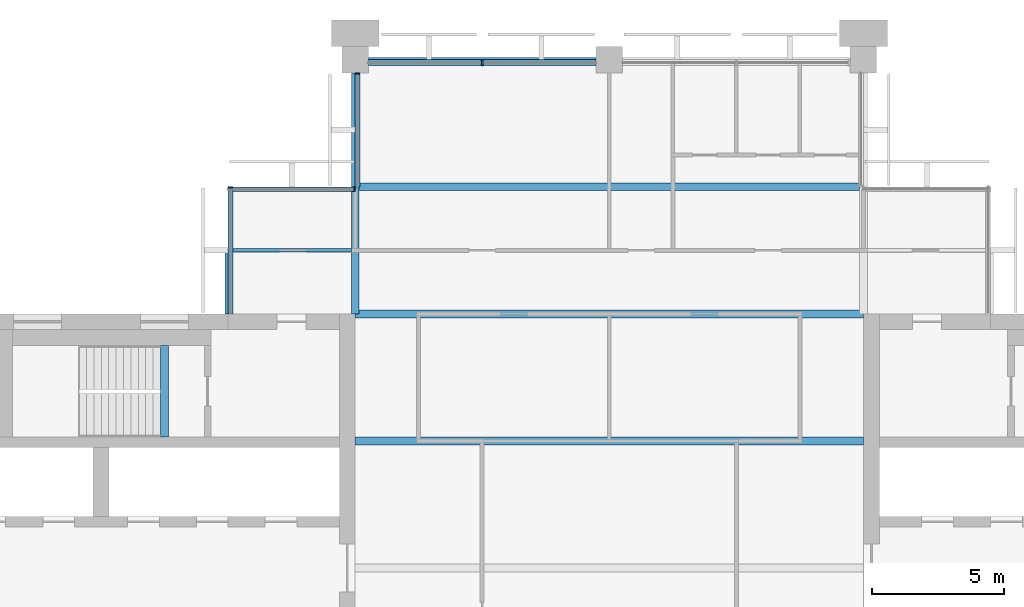
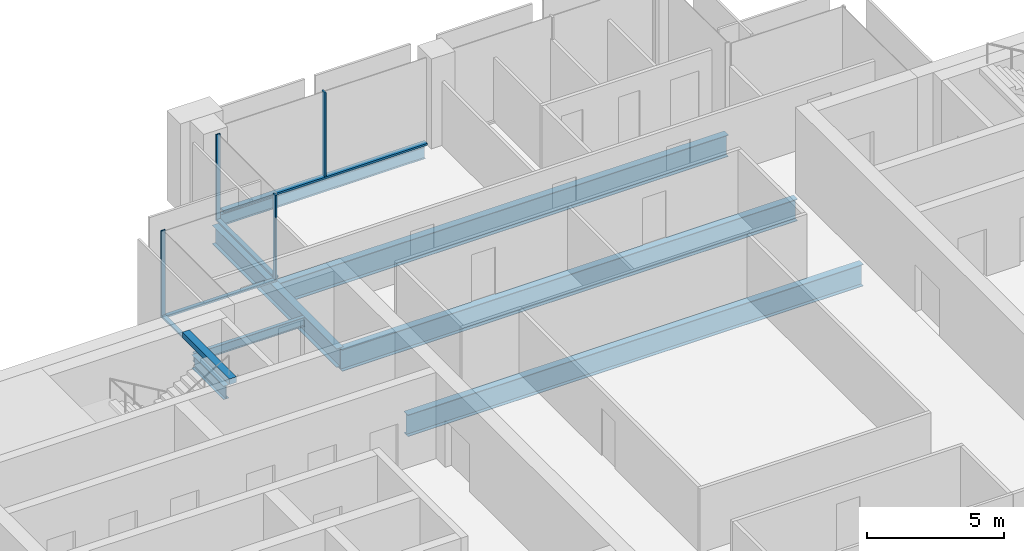
# One storey, part 5 of 13: 8 beams, 8 members, 4 elements without a shape of their own.
"""IFC4 building model written with IfcOpenShell, lengths in metres."""

from ifc_helpers import new_model, si_unit, direction, frame, origin, origin_2d, place, context, subcontext, project, spatial, rectangle, i_section, extrude, material, material_profile, profile_set, type_object, element, aggregate, save


model = new_model("IFC4")

# Units and contexts
model_context = context("Model", 3, precision=1e-05, world=origin(), true_north=direction((0.0, 1.0)))
body_context = subcontext(model_context, "Body", "Model", "MODEL_VIEW")
ifc_project = project(units=[si_unit("LENGTHUNIT", "METRE"), si_unit("AREAUNIT", "SQUARE_METRE"), si_unit("VOLUMEUNIT", "CUBIC_METRE"), si_unit("PLANEANGLEUNIT", "RADIAN"), si_unit("MASSUNIT", "GRAM", prefix="KILO")], contexts=[model_context])

# Site, building, storey
site_placement = place(None, origin())
site = spatial("IfcSite", under=ifc_project, at=site_placement, CompositionType="ELEMENT")
building_placement = place(site_placement, origin())
building = spatial("IfcBuilding", under=site, at=building_placement, Name="Baori Bourse Tower", CompositionType="ELEMENT")
storey_placement = place(building_placement, frame((0.0, 0.0, 334.300048828125)))
storey = spatial("IfcBuildingStorey", under=building, at=storey_placement, Name="L74", CompositionType="ELEMENT", Elevation=334.300048828125)

# Curtain wall, member
ifc_material_1 = material(Name="Pale anodised aluminium", Category="aluminium")
curtain_wall_type_1 = type_object("IfcCurtainWallType", Name="CW2 Curtain wall", PredefinedType="NOTDEFINED", material=ifc_material_1)
curtain_wall_1_placement = place(storey_placement, origin())
curtain_wall_1 = element("IfcCurtainWall", 1, at=curtain_wall_1_placement, inside=storey, type_object=curtain_wall_type_1, Name="Curtain wall CW2 L74 5", PredefinedType="NOTDEFINED")
ifc_material_2 = material(Name="Pale anodised aluminium", Category="aluminium")
ifc_material_profile_1 = material_profile(ifc_material_2, rectangle(XDim=0.179931640625, YDim=0.054931640625, at=origin_2d()), Name="Mullion 55x180")
ifc_profile_set_1 = profile_set([ifc_material_profile_1], Name="Pale anodised aluminium")
member_type_1 = type_object("IfcMemberType", Name="CW2 Curtain wall mullion", PredefinedType="MULLION", material=ifc_profile_set_1)
member_1_placement = place(storey_placement, frame((19.2900390625, 47.472412109375, 0.070068359375), z_axis=(0.0, 0.0, 1.0), x_axis=(1.0, 0.0, 0.0)))
member_1 = element("IfcMember", 2, at=member_1_placement, type_object=member_type_1, Name="Curtain wall CW2 mullion", PredefinedType="MULLION", context=body_context, shape_type="SweptSolid", body=[
    extrude(rectangle(XDim=0.179931640625, YDim=0.054931640625, at=origin_2d()), origin(), (0.0, 0.0, 1.0), 3.769775390625),
])

curtain_wall_2_placement = place(storey_placement, origin())
curtain_wall_2 = element("IfcCurtainWall", 3, at=curtain_wall_2_placement, inside=storey, type_object=curtain_wall_type_1, Name="Curtain wall CW2 L74 6", PredefinedType="NOTDEFINED")
member_2_placement = place(storey_placement, frame((19.172607421875, 43.110107421875, 0.070068359375), z_axis=(0.0, 0.0, 1.0), x_axis=(0.0, -1.0, 0.0)))
member_2 = element("IfcMember", 4, at=member_2_placement, type_object=member_type_1, Name="Curtain wall CW2 mullion", PredefinedType="MULLION", context=body_context, shape_type="SweptSolid", body=[
    extrude(rectangle(XDim=0.179931640625, YDim=0.054931640625, at=origin_2d()), origin(), (0.0, 0.0, 1.0), 3.769775390625),
])

curtain_wall_3_placement = place(storey_placement, origin())
curtain_wall_3 = element("IfcCurtainWall", 5, at=curtain_wall_3_placement, inside=storey, type_object=curtain_wall_type_1, Name="Curtain wall CW2 L74 7", PredefinedType="NOTDEFINED")
member_3_placement = place(storey_placement, frame((14.489990234375, 43.172607421875, 0.070068359375), z_axis=(0.0, 0.0, 1.0), x_axis=(1.0, 0.0, 0.0)))
member_3 = element("IfcMember", 6, at=member_3_placement, type_object=member_type_1, Name="Curtain wall CW2 mullion", PredefinedType="MULLION", context=body_context, shape_type="SweptSolid", body=[
    extrude(rectangle(XDim=0.179931640625, YDim=0.054931640625, at=origin_2d()), origin(), (0.0, 0.0, 1.0), 3.769775390625),
])

# Member
ifc_material_3 = material(Name="Pale anodised aluminium", Category="aluminium")
ifc_material_profile_2 = material_profile(ifc_material_3, rectangle(XDim=0.179931640625, YDim=0.070068359375, at=origin_2d()), Name="Transom 70x180")
ifc_profile_set_2 = profile_set([ifc_material_profile_2], Name="Pale anodised aluminium")
member_type_2 = type_object("IfcMemberType", Name="CW2 Curtain wall transom", PredefinedType="USERDEFINED", material=ifc_profile_set_2)
member_4_placement = place(storey_placement, frame((19.2900390625, 47.5, 0.034912109375), z_axis=(0.0, -1.0, 0.0), x_axis=(1.0, 0.0, 0.0)))
member_4 = element("IfcMember", 7, at=member_4_placement, type_object=member_type_2, Name="Curtain wall CW2 sill rail", ObjectType="TRANSOM", PredefinedType="USERDEFINED", context=body_context, shape_type="SweptSolid", body=[
    extrude(rectangle(XDim=0.179931640625, YDim=0.070068359375, at=origin_2d()), origin(), (0.0, 0.0, 1.0), 4.300048828125),
])

aggregate(curtain_wall_1, [member_4, member_1])

member_5_placement = place(storey_placement, frame((19.199951171875, 43.110107421875, 0.034912109375), z_axis=(-1.0, 0.0, 0.0), x_axis=(0.0, -1.0, 0.0)))
member_5 = element("IfcMember", 8, at=member_5_placement, type_object=member_type_2, Name="Curtain wall CW2 sill rail", ObjectType="TRANSOM", PredefinedType="USERDEFINED", context=body_context, shape_type="SweptSolid", body=[
    extrude(rectangle(XDim=0.179931640625, YDim=0.070068359375, at=origin_2d()), origin(), (0.0, 0.0, 1.0), 4.800048828125),
])

aggregate(curtain_wall_2, [member_5, member_2])

member_6_placement = place(storey_placement, frame((14.489990234375, 43.199951171875, 0.034912109375), z_axis=(0.0, -1.0, 0.0), x_axis=(1.0, 0.0, 0.0)))
member_6 = element("IfcMember", 9, at=member_6_placement, type_object=member_type_2, Name="Curtain wall CW2 sill rail", ObjectType="TRANSOM", PredefinedType="USERDEFINED", context=body_context, shape_type="SweptSolid", body=[
    extrude(rectangle(XDim=0.179931640625, YDim=0.070068359375, at=origin_2d()), origin(), (0.0, 0.0, 1.0), 4.800048828125),
])

aggregate(curtain_wall_3, [member_6, member_3])

# Curtain wall, members
ifc_material_4 = material(Name="Pale anodised aluminium", Category="aluminium")
curtain_wall_type_2 = type_object("IfcCurtainWallType", Name="CW5 Curtain wall", PredefinedType="NOTDEFINED", material=ifc_material_4)
curtain_wall_4_placement = place(storey_placement, origin())
curtain_wall_4 = element("IfcCurtainWall", 10, at=curtain_wall_4_placement, inside=storey, type_object=curtain_wall_type_2, Name="Curtain wall CW5 L74 4", PredefinedType="NOTDEFINED")
ifc_material_5 = material(Name="Pale anodised aluminium", Category="aluminium")
ifc_material_profile_3 = material_profile(ifc_material_5, rectangle(XDim=0.219970703125, YDim=0.06494140625, at=origin_2d()), Name="Mullion 65x220")
ifc_profile_set_3 = profile_set([ifc_material_profile_3], Name="Pale anodised aluminium")
member_type_3 = type_object("IfcMemberType", Name="CW5 Curtain wall mullion", PredefinedType="MULLION", material=ifc_profile_set_3)
member_7_placement = place(storey_placement, frame((24.0, 47.889892578125, 0.0849609375), z_axis=(0.0, 0.0, 1.0), x_axis=(0.0, -1.0, 0.0)))
member_7 = element("IfcMember", 11, at=member_7_placement, type_object=member_type_3, Name="Curtain wall CW5 mullion", PredefinedType="MULLION", context=body_context, shape_type="SweptSolid", body=[
    extrude(rectangle(XDim=0.219970703125, YDim=0.06494140625, at=origin_2d()), origin(), (0.0, 0.0, 1.0), 3.7548828125),
])
ifc_material_6 = material(Name="Pale anodised aluminium", Category="aluminium")
ifc_material_profile_4 = material_profile(ifc_material_6, rectangle(XDim=0.219970703125, YDim=0.0849609375, at=origin_2d()), Name="Transom 85x220")
ifc_profile_set_4 = profile_set([ifc_material_profile_4], Name="Pale anodised aluminium")
member_type_4 = type_object("IfcMemberType", Name="CW5 Curtain wall transom", PredefinedType="USERDEFINED", material=ifc_profile_set_4)
member_8_placement = place(storey_placement, frame((28.300048828125, 47.889892578125, 0.04248046875), z_axis=(-1.0, 0.0, 0.0), x_axis=(0.0, -1.0, 0.0)))
member_8 = element("IfcMember", 12, at=member_8_placement, type_object=member_type_4, Name="Curtain wall CW5 sill rail", ObjectType="TRANSOM", PredefinedType="USERDEFINED", context=body_context, shape_type="SweptSolid", body=[
    extrude(rectangle(XDim=0.219970703125, YDim=0.0849609375, at=origin_2d()), origin(), (0.0, 0.0, 1.0), 8.60009765625),
])
aggregate(curtain_wall_4, [member_8, member_7])

# Beams
ifc_material_7 = material(Name="Steel A992 Gr 50", Category="steel")
ifc_material_profile_5 = material_profile(ifc_material_7, i_section(OverallWidth=0.227783203125, OverallDepth=0.60205078125, WebThickness=0.010498046875, FlangeThickness=0.014892578125, at=origin_2d()), Name="W24x68")
ifc_profile_set_5 = profile_set([ifc_material_profile_5], Name="Steel A992 Gr 50")
beam_type_1 = type_object("IfcBeamType", Name="Core bracket W24x68", PredefinedType="BEAM", material=ifc_profile_set_5)
beam_1_placement = place(storey_placement, frame((14.39990234375, 38.39990234375, -0.4609375), z_axis=(0.0, 1.0, 0.0), x_axis=(-1.0, 0.0, 0.0)))
element("IfcBeam", 13, at=beam_1_placement, inside=storey, type_object=beam_type_1, Name="Core bracket L74", PredefinedType="BEAM", context=body_context, shape_type="SweptSolid", body=[
    extrude(i_section(OverallWidth=0.227783203125, OverallDepth=0.60205078125, WebThickness=0.010498046875, FlangeThickness=0.014892578125, at=origin_2d()), origin(), (0.0, 0.0, 1.0), 2.329833984375),
])
ifc_material_8 = material(Name="Steel A992 Gr 50", Category="steel")
ifc_material_profile_6 = material_profile(ifc_material_8, i_section(OverallWidth=0.1650390625, OverallDepth=0.52587890625, WebThickness=0.0087890625, FlangeThickness=0.011474609375, at=origin_2d()), Name="W21x44")
ifc_profile_set_6 = profile_set([ifc_material_profile_6], Name="Steel A992 Gr 50")
beam_type_2 = type_object("IfcBeamType", Name="Edge beam W21x44", PredefinedType="BEAM", material=ifc_profile_set_6)
beam_2_placement = place(storey_placement, frame((19.699951171875, 48.0, -0.4228515625), z_axis=(1.0, 0.0, 0.0), x_axis=(0.0, 1.0, 0.0)))
element("IfcBeam", 14, at=beam_2_placement, inside=storey, type_object=beam_type_2, Name="Edge beam L74", PredefinedType="BEAM", context=body_context, shape_type="SweptSolid", body=[
    extrude(i_section(OverallWidth=0.1650390625, OverallDepth=0.52587890625, WebThickness=0.0087890625, FlangeThickness=0.011474609375, at=origin_2d()), origin(), (0.0, 0.0, 1.0), 8.60009765625),
])
ifc_material_9 = material(Name="Steel A992 Gr 50", Category="steel")
ifc_material_profile_7 = material_profile(ifc_material_9, i_section(OverallWidth=0.2998046875, OverallDepth=0.97021484375, WebThickness=0.01611328125, FlangeThickness=0.02099609375, at=origin_2d()), Name="W40x149")
ifc_profile_set_7 = profile_set([ifc_material_profile_7], Name="Steel A992 Gr 50")
beam_type_3 = type_object("IfcBeamType", Name="Floor beam W40x149", PredefinedType="BEAM", material=ifc_profile_set_7)
for number, where, z_axis, x_axis, name in (
    (15, (19.199951171875, 33.60009765625, -0.645263671875), (1.0, 0.0, 0.0), (0.0, 1.0, 0.0), "Floor beam L74"),
    (16, (19.199951171875, 38.39990234375, -0.645263671875), (1.0, 0.0, 0.0), (0.0, 1.0, 0.0), "Floor beam L74"),
):
    element("IfcBeam", number, at=place(storey_placement, frame(where, z_axis=z_axis, x_axis=x_axis)), inside=storey, type_object=beam_type_3, Name=name, PredefinedType="BEAM", context=body_context, shape_type="SweptSolid", body=[
        extrude(i_section(OverallWidth=0.2998046875, OverallDepth=0.97021484375, WebThickness=0.01611328125, FlangeThickness=0.02099609375, at=origin_2d()), origin(), (0.0, 0.0, 1.0), 19.199951171875),
    ])
beam_3_placement = place(storey_placement, frame((19.345947265625, 43.199951171875, -0.645263671875), z_axis=(1.0, 0.0, 0.0), x_axis=(0.0, 1.0, 0.0)))
element("IfcBeam", 17, at=beam_3_placement, inside=storey, type_object=beam_type_3, Name="Floor beam L74", PredefinedType="BEAM", context=body_context, shape_type="SweptSolid", body=[
    extrude(i_section(OverallWidth=0.2998046875, OverallDepth=0.97021484375, WebThickness=0.01611328125, FlangeThickness=0.02099609375, at=origin_2d()), origin(), (0.0, 0.0, 1.0), 18.907958984375),
])
ifc_material_10 = material(Name="Steel A992 Gr 50", Category="steel")
ifc_material_profile_8 = material_profile(ifc_material_10, i_section(OverallWidth=0.2919921875, OverallDepth=0.835693359375, WebThickness=0.013916015625, FlangeThickness=0.018798828125, at=origin_2d()), Name="W33x118")
ifc_profile_set_8 = profile_set([ifc_material_profile_8], Name="Steel A992 Gr 50")
beam_type_4 = type_object("IfcBeamType", Name="Girder W33x118", PredefinedType="BEAM", material=ifc_profile_set_8)
beam_4_placement = place(storey_placement, frame((19.199951171875, 38.39990234375, -0.577880859375), z_axis=(0.0, 1.0, 0.0), x_axis=(-1.0, 0.0, 0.0)))
element("IfcBeam", 18, at=beam_4_placement, inside=storey, type_object=beam_type_4, Name="Girder L74", PredefinedType="BEAM", context=body_context, shape_type="SweptSolid", body=[
    extrude(i_section(OverallWidth=0.2919921875, OverallDepth=0.835693359375, WebThickness=0.013916015625, FlangeThickness=0.018798828125, at=origin_2d()), origin(), (0.0, 0.0, 1.0), 9.10009765625),
])
ifc_material_11 = material(Name="Concrete f'c 50 MPa", Category="concrete")
ifc_material_profile_9 = material_profile(ifc_material_11, rectangle(XDim=0.300048828125, YDim=0.25, at=origin_2d()), Name="RC 300x250")
ifc_profile_set_9 = profile_set([ifc_material_profile_9], Name="Concrete f'c 50 MPa")
beam_type_5 = type_object("IfcBeamType", Name="Stair nib beam RC 300x250", PredefinedType="BEAM", material=ifc_profile_set_9)
beam_5_placement = place(storey_placement, frame((12.0, 33.75, 3.71484375), z_axis=(0.0, 1.0, 0.0), x_axis=(-1.0, 0.0, 0.0)))
element("IfcBeam", 19, at=beam_5_placement, inside=storey, type_object=beam_type_5, Name="Stair WB nib beam L75", PredefinedType="BEAM", context=body_context, shape_type="SweptSolid", body=[
    extrude(rectangle(XDim=0.300048828125, YDim=0.25, at=origin_2d()), origin(), (0.0, 0.0, 1.0), 3.449951171875),
])
ifc_material_12 = material(Name="Steel A992 Gr 50", Category="steel")
ifc_material_profile_10 = material_profile(ifc_material_12, i_section(OverallWidth=0.140380859375, OverallDepth=0.40380859375, WebThickness=0.007080078125, FlangeThickness=0.01123046875, at=origin_2d()), Name="W16x31")
ifc_profile_set_10 = profile_set([ifc_material_profile_10], Name="Steel A992 Gr 50")
beam_type_6 = type_object("IfcBeamType", Name="Trimmer beam W16x31", PredefinedType="BEAM", material=ifc_profile_set_10)
beam_6_placement = place(storey_placement, frame((14.39990234375, 40.800048828125, -0.362060546875), z_axis=(1.0, 0.0, 0.0), x_axis=(0.0, 1.0, 0.0)))
element("IfcBeam", 20, at=beam_6_placement, inside=storey, type_object=beam_type_6, Name="Trimmer beam L74", PredefinedType="BEAM", context=body_context, shape_type="SweptSolid", body=[
    extrude(i_section(OverallWidth=0.140380859375, OverallDepth=0.40380859375, WebThickness=0.007080078125, FlangeThickness=0.01123046875, at=origin_2d()), origin(), (0.0, 0.0, 1.0), 4.654052734375),
])

save(model, "model.ifc")
